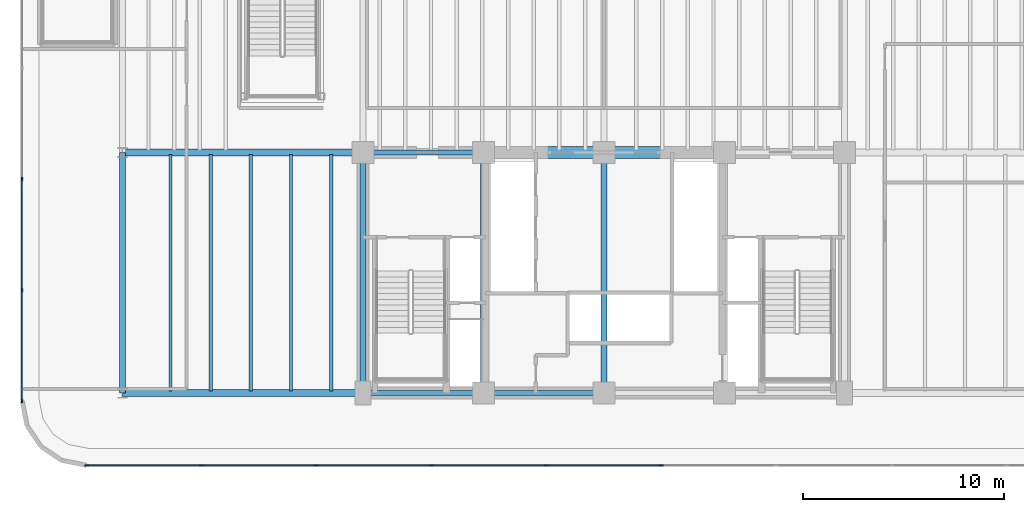
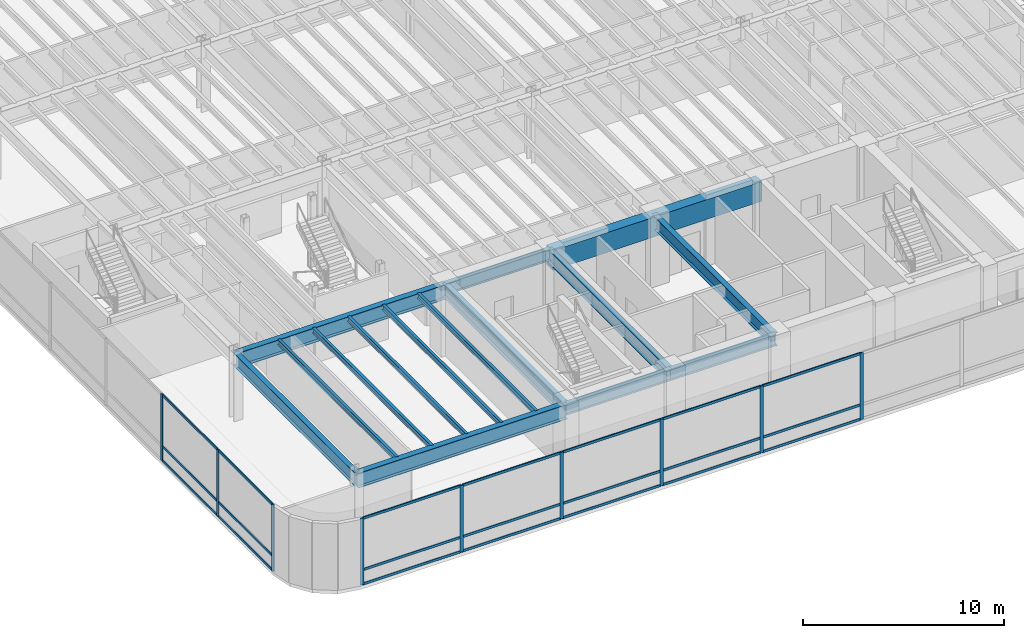
# One storey, part 3 of 18: 30 members, 15 beams, 2 elements without a shape of their own.
"""IFC4 building model written with IfcOpenShell, lengths in metres."""

import ifcopenshell
import ifcopenshell.guid

model = None  # the IFC model being written
_history = None  # IfcOwnerHistory: only IFC2X3 demands one
_inside = {}  # id of a spatial element -> (the spatial element, [elements in it])
_under = {}  # id of a project, library or spatial element -> (it, [spatial elements below it])
_declared = {}  # id of a project -> (the project, [libraries it declares])
_typed = {}  # id of a type object -> (the type object, [elements of that type])
_made_of = {}  # id of a material, layer set ... -> (it, [elements and type objects made of it])


def new_model(schema):
    """Start an empty IFC model of exactly this schema.

    Asked for "IFC4X3", IfcOpenShell would pick the latest addendum, in which some entities
    have other attributes; the version numbers below select the first issue.
    IFC2X3 requires an IfcOwnerHistory on every rooted entity: one is made here for all.
    """
    global model, _history
    if schema == "IFC4X3":
        model = ifcopenshell.file(schema_version=(4, 3, 0, 0))
    else:
        model = ifcopenshell.file(schema=schema)
    _inside.clear()
    _under.clear()
    _declared.clear()
    _typed.clear()
    _made_of.clear()
    _history = None
    if model.schema == "IFC2X3":
        org = make("IfcOrganization", Name="unknown")
        user = make(
            "IfcPersonAndOrganization",
            ThePerson=make("IfcPerson", FamilyName="unknown"),
            TheOrganization=org,
        )
        app = make(
            "IfcApplication",
            ApplicationDeveloper=org,
            Version="unknown",
            ApplicationFullName="unknown",
            ApplicationIdentifier="unknown",
        )
        _history = make(
            "IfcOwnerHistory",
            OwningUser=user,
            OwningApplication=app,
            ChangeAction="ADDED",
            CreationDate=0,
        )
    return model


def make(cls, **values):
    """One entity of the class cls with the attributes given. An attribute that is None is left unset."""
    return model.create_entity(
        cls, **{name: value for name, value in values.items() if value is not None}
    )


def rooted(cls, **values):
    """An entity with a GlobalId (a new one), such as an element, a storey or a relation."""
    return make(cls, GlobalId=ifcopenshell.guid.new(), OwnerHistory=_history, **values)


def si_unit(unit_type, name, prefix=None):
    """IfcSIUnit, for example si_unit("LENGTHUNIT", "METRE", prefix="MILLI")."""
    return make("IfcSIUnit", UnitType=unit_type, Prefix=prefix, Name=name)


def assignment(units):
    """IfcUnitAssignment: the units of a project."""
    return None if units is None else make("IfcUnitAssignment", Units=units)


def point(xyz):
    """IfcCartesianPoint."""
    return None if xyz is None else make("IfcCartesianPoint", Coordinates=xyz)


def direction(xyz):
    """IfcDirection."""
    return None if xyz is None else make("IfcDirection", DirectionRatios=xyz)


def frame(location, z_axis=None, x_axis=None):
    """IfcAxis2Placement3D, a coordinate frame: its origin and axes. An axis left out is left unset."""
    return make(
        "IfcAxis2Placement3D",
        Location=point(location),
        Axis=direction(z_axis),
        RefDirection=direction(x_axis),
    )


def frame_2d(location, x_axis=None):
    """IfcAxis2Placement2D, a coordinate frame in the plane: its origin and x axis."""
    return make(
        "IfcAxis2Placement2D", Location=point(location), RefDirection=direction(x_axis)
    )


def origin():
    """The frame at (0, 0, 0) with its axes left unset."""
    return frame((0.0, 0.0, 0.0))


def origin_2d():
    """The frame at (0, 0) in the plane with its x axis left unset."""
    return frame_2d((0.0, 0.0))


def place(relative_to, where):
    """IfcLocalPlacement: puts the frame where relative to a parent placement (None: the world)."""
    return make(
        "IfcLocalPlacement", PlacementRelTo=relative_to, RelativePlacement=where
    )


def context(
    kind, dimensions, precision=None, world=None, true_north=None, identifier=None
):
    """IfcGeometricRepresentationContext, for example the 3D "Model" context."""
    return make(
        "IfcGeometricRepresentationContext",
        ContextIdentifier=identifier,
        ContextType=kind,
        CoordinateSpaceDimension=dimensions,
        Precision=precision,
        WorldCoordinateSystem=world,
        TrueNorth=true_north,
    )


def subcontext(parent, identifier, kind, view, scale=None):
    """IfcGeometricRepresentationSubContext, for example "Body" below "Model"."""
    return make(
        "IfcGeometricRepresentationSubContext",
        ContextIdentifier=identifier,
        ContextType=kind,
        ParentContext=parent,
        TargetScale=scale,
        TargetView=view,
    )


def project(units=None, contexts=None):
    """IfcProject with its units and contexts."""
    return rooted(
        "IfcProject",
        Name="project",
        RepresentationContexts=contexts,
        UnitsInContext=assignment(units),
    )


def spatial(cls, under=None, at=None, **own):
    """A site, building, storey or space (cls), placed at a placement, below another one or the project."""
    s = rooted(cls, ObjectPlacement=at, **own)
    if under is not None:
        _under.setdefault(under.id(), (under, []))[1].append(s)
    return s


def profile(cls, at=None, kind="AREA", **sizes):
    """A parametric profile (cls). Its sizes go by their IFC names, for example OverallWidth=200.0."""
    return make(cls, ProfileType=kind, Position=at, **sizes)


def rectangle(**sizes):
    """IfcRectangleProfileDef."""
    return profile("IfcRectangleProfileDef", **sizes)


def i_section(**sizes):
    """IfcIShapeProfileDef."""
    return profile("IfcIShapeProfileDef", **sizes)


def extrude(swept, where, along, depth):
    """IfcExtrudedAreaSolid: the profile swept, set in the frame where, extruded along a direction by depth."""
    return make(
        "IfcExtrudedAreaSolid",
        SweptArea=swept,
        Position=where,
        ExtrudedDirection=direction(along),
        Depth=depth,
    )


def shape(context_of_items, identifier, shape_type, items):
    """IfcShapeRepresentation: the items that make up one representation, for example the "Body"."""
    return make(
        "IfcShapeRepresentation",
        ContextOfItems=context_of_items,
        RepresentationIdentifier=identifier,
        RepresentationType=shape_type,
        Items=items,
    )


def source(mapping_origin, context_of_items, identifier, shape_type, items):
    """IfcRepresentationMap: a shape defined once, which mapped items show again and again."""
    return make(
        "IfcRepresentationMap",
        MappingOrigin=mapping_origin,
        MappedRepresentation=shape(context_of_items, identifier, shape_type, items),
    )


def transform(
    local_origin,
    x_axis=None,
    y_axis=None,
    z_axis=None,
    scale=None,
    scale2=None,
    scale3=None,
    uniform=True,
):
    """IfcCartesianTransformationOperator3D, or its non-uniform kind. x_axis, y_axis, z_axis: its Axis1, 2, 3."""
    if uniform:
        return make(
            "IfcCartesianTransformationOperator3D",
            Axis1=direction(x_axis),
            Axis2=direction(y_axis),
            LocalOrigin=point(local_origin),
            Scale=scale,
            Axis3=direction(z_axis),
        )
    return make(
        "IfcCartesianTransformationOperator3DnonUniform",
        Axis1=direction(x_axis),
        Axis2=direction(y_axis),
        LocalOrigin=point(local_origin),
        Scale=scale,
        Axis3=direction(z_axis),
        Scale2=scale2,
        Scale3=scale3,
    )


def mapped(mapping_source, mapping_target):
    """IfcMappedItem: shows the shape of a source again, moved by a transform."""
    return make(
        "IfcMappedItem", MappingSource=mapping_source, MappingTarget=mapping_target
    )


def material(Name=None, Category=None):
    """IfcMaterial."""
    return make("IfcMaterial", Name=Name, Category=Category)


def layer(
    of_material, thickness, ventilated=None, Name=None, Category=None, Priority=None
):
    """IfcMaterialLayer: one layer of a wall or slab, of a material (None: an air gap)."""
    return make(
        "IfcMaterialLayer",
        Material=of_material,
        LayerThickness=thickness,
        IsVentilated=ventilated,
        Name=Name,
        Category=Category,
        Priority=Priority,
    )


def layer_set(layers, Name=None):
    """IfcMaterialLayerSet."""
    return make("IfcMaterialLayerSet", MaterialLayers=layers, LayerSetName=Name)


def material_profile(
    of_material, cross_section, Name=None, Category=None, Priority=None
):
    """IfcMaterialProfile: a cross section and its material."""
    return make(
        "IfcMaterialProfile",
        Name=Name,
        Material=of_material,
        Profile=cross_section,
        Priority=Priority,
        Category=Category,
    )


def profile_set(profiles, Name=None, composite=None):
    """IfcMaterialProfileSet."""
    return make(
        "IfcMaterialProfileSet",
        Name=Name,
        MaterialProfiles=profiles,
        CompositeProfile=composite,
    )


def made_of(thing, what):
    """Note that an element or type object is made of a material, layer set ...; save() writes the relation."""
    if what is not None:
        _made_of.setdefault(what.id(), (what, []))[1].append(thing)
    return thing


def type_object(cls, material=None, **own):
    """A type object (cls), such as IfcWallType, which elements share."""
    return made_of(rooted(cls, **own), material)


def element(
    cls,
    number,
    at=None,
    inside=None,
    cuts=None,
    type_object=None,
    material=None,
    context=None,
    identifier="Body",
    shape_type=None,
    held_by="IfcProductDefinitionShape",
    body=None,
    shapes=None,
    **own,
):
    """One element of the class cls, such as IfcWall. Its Tag is "e" and its number.

    at: its placement. inside: the storey or other place that contains it. cuts: it is an
    opening in that element (IfcRelVoidsElement). A single representation is given by context,
    identifier, shape_type and body (its items); several are given by shapes. held_by: the class
    of the entity that holds the representations. save() writes the other relations.
    """
    e = rooted(cls, Tag="e%d" % number, ObjectPlacement=at, **own)
    if body is not None:
        shapes = [shape(context, identifier, shape_type, body)]
    if shapes is not None:
        e.Representation = make(held_by, Representations=shapes)
    if inside is not None:
        _inside.setdefault(inside.id(), (inside, []))[1].append(e)
    if cuts is not None:
        rooted(
            "IfcRelVoidsElement", RelatingBuildingElement=cuts, RelatedOpeningElement=e
        )
    if type_object is not None:
        _typed.setdefault(type_object.id(), (type_object, []))[1].append(e)
    return made_of(e, material)


def aggregate(whole, parts):
    """IfcRelAggregates: a whole, such as a stair, and the parts it consists of."""
    return rooted("IfcRelAggregates", RelatingObject=whole, RelatedObjects=parts)


def save(model, path):
    """Write the relations noted so far, then the file.

    IfcRelAggregates (storeys below a building ...), IfcRelContainedInSpatialStructure (elements
    in a storey), IfcRelDefinesByType, IfcRelAssociatesMaterial and IfcRelDeclares: one each for
    every whole, place, type object, material and project.
    """
    for whole, parts in _under.values():
        aggregate(whole, parts)
    for where, things in _inside.values():
        rooted(
            "IfcRelContainedInSpatialStructure",
            RelatedElements=things,
            RelatingStructure=where,
        )
    for kind, things in _typed.values():
        rooted("IfcRelDefinesByType", RelatedObjects=things, RelatingType=kind)
    for what, things in _made_of.values():
        rooted("IfcRelAssociatesMaterial", RelatedObjects=things, RelatingMaterial=what)
    for by, libraries in _declared.values():
        rooted("IfcRelDeclares", RelatingContext=by, RelatedDefinitions=libraries)
    model.write(path)


model = new_model("IFC4")

# Units and contexts
model_context = context("Model", 3, precision=1e-05, world=origin(), true_north=direction((0.0, 1.0)))
body_context = subcontext(model_context, "Body", "Model", "MODEL_VIEW")
ifc_project = project(units=[si_unit("LENGTHUNIT", "METRE"), si_unit("AREAUNIT", "SQUARE_METRE"), si_unit("VOLUMEUNIT", "CUBIC_METRE"), si_unit("PLANEANGLEUNIT", "RADIAN"), si_unit("MASSUNIT", "GRAM", prefix="KILO")], contexts=[model_context])

# Site, building, storey
site_placement = place(None, origin())
site = spatial("IfcSite", under=ifc_project, at=site_placement, CompositionType="ELEMENT")
building_placement = place(site_placement, origin())
building = spatial("IfcBuilding", under=site, at=building_placement, Name="Brelvock Crest Care Tower", CompositionType="ELEMENT")
storey_placement = place(building_placement, frame((0.0, 0.0, 5.39990234375)))
storey = spatial("IfcBuildingStorey", under=building, at=storey_placement, Name="L01", CompositionType="ELEMENT", Elevation=5.39990234375)

# Beams
ifc_material_1 = material(Name="Concrete S80 (80 MPa)", Category="concrete")
ifc_material_profile_1 = material_profile(ifc_material_1, rectangle(XDim=0.60009765625, YDim=1.199951171875, at=origin_2d()), Name="RC600x1200")
ifc_profile_set_1 = profile_set([ifc_material_profile_1], Name="Concrete S80 (80 MPa)")
beam_type_1 = type_object("IfcBeamType", Name="BM-LN1", PredefinedType="LINTEL", material=ifc_profile_set_1)
shared_shape_1 = source(origin(), body_context, "Body", "SweptSolid", [
    extrude(rectangle(XDim=0.60009765625, YDim=1.199951171875, at=origin_2d()), origin(), (0.0, 0.0, 1.0), 12.0),
])
beam_placement = place(storey_placement, frame((30.0, 18.0, 3.440185546875), z_axis=(1.0, 0.0, 0.0), x_axis=(0.0, 1.0, 0.0)))
element("IfcBeam", 1, at=beam_placement, inside=storey, type_object=beam_type_1, Name="L01 Core Coupling Lintel Beam", PredefinedType="LINTEL", context=body_context, shape_type="MappedRepresentation", body=[
    mapped(shared_shape_1, transform((0.0, 0.0, 0.0), x_axis=(1.0, 0.0, 0.0), y_axis=(0.0, 1.0, 0.0), z_axis=(0.0, 0.0, 1.0), scale=1.0)),
])
ifc_material_2 = material(Name="Steel Grade 350", Category="steel")
ifc_material_profile_2 = material_profile(ifc_material_2, i_section(OverallWidth=0.25, OverallDepth=0.699951171875, WebThickness=0.011962890625, FlangeThickness=0.02001953125, at=origin_2d()), Name="700WB150")
ifc_profile_set_2 = profile_set([ifc_material_profile_2], Name="Steel Grade 350")
beam_type_2 = type_object("IfcBeamType", Name="BM-G4", PredefinedType="BEAM", material=ifc_profile_set_2)
shared_shape_2 = source(origin(), body_context, "Body", "SweptSolid", [
    extrude(i_section(OverallWidth=0.25, OverallDepth=0.699951171875, WebThickness=0.011962890625, FlangeThickness=0.02001953125, at=origin_2d()), origin(), (0.0, 0.0, 1.0), 6.0),
])
for number, where, z_axis, x_axis, name in (
    (2, (24.0, 6.0, 3.690185546875), (1.0, 0.0, 0.0), (0.0, 1.0, 0.0), "BM-CORES-L01-1"),
    (3, (24.0, 18.0, 3.690185546875), (1.0, 0.0, 0.0), (0.0, 1.0, 0.0), "BM-COREN-L01-1"),
    (4, (30.0, 6.0, 3.690185546875), (1.0, 0.0, 0.0), (0.0, 1.0, 0.0), "BM-CORES-L01-2"),
):
    element("IfcBeam", number, at=place(storey_placement, frame(where, z_axis=z_axis, x_axis=x_axis)), inside=storey, type_object=beam_type_2, Name=name, PredefinedType="BEAM", context=body_context, shape_type="MappedRepresentation", body=[
        mapped(shared_shape_2, transform((0.0, 0.0, 0.0), x_axis=(1.0, 0.0, 0.0), y_axis=(0.0, 1.0, 0.0), z_axis=(0.0, 0.0, 1.0), scale=1.0)),
    ])
ifc_material_profile_3 = material_profile(ifc_material_2, i_section(OverallWidth=0.300048828125, OverallDepth=0.800048828125, WebThickness=0.013916015625, FlangeThickness=0.02197265625, at=origin_2d()), Name="800WB192")
ifc_profile_set_3 = profile_set([ifc_material_profile_3], Name="Steel Grade 350")
beam_type_3 = type_object("IfcBeamType", Name="BM-G5", PredefinedType="BEAM", material=ifc_profile_set_3)
shared_shape_3 = source(origin(), body_context, "Body", "SweptSolid", [
    extrude(i_section(OverallWidth=0.300048828125, OverallDepth=0.800048828125, WebThickness=0.013916015625, FlangeThickness=0.02197265625, at=origin_2d()), origin(), (0.0, 0.0, 1.0), 12.0),
])
for number, where, z_axis, x_axis, name in (
    (5, (24.0, 6.0, 3.64013671875), (0.0, 1.0, 0.0), (-1.0, 0.0, 0.0), "BM-COREX-L01-1"),
    (6, (30.0, 6.0, 3.64013671875), (0.0, 1.0, 0.0), (-1.0, 0.0, 0.0), "BM-COREX-L01-2"),
    (7, (36.0, 6.0, 3.64013671875), (0.0, 1.0, 0.0), (-1.0, 0.0, 0.0), "BM-COREX-L01-3"),
    (8, (12.0, 6.0, 3.64013671875), (0.0, 1.0, 0.0), (-1.0, 0.0, 0.0), "BM-PODY-L01-12-6"),
):
    element("IfcBeam", number, at=place(storey_placement, frame(where, z_axis=z_axis, x_axis=x_axis)), inside=storey, type_object=beam_type_3, Name=name, PredefinedType="BEAM", context=body_context, shape_type="MappedRepresentation", body=[
        mapped(shared_shape_3, transform((0.0, 0.0, 0.0), x_axis=(1.0, 0.0, 0.0), y_axis=(0.0, 1.0, 0.0), z_axis=(0.0, 0.0, 1.0), scale=1.0)),
    ])
ifc_material_profile_4 = material_profile(ifc_material_2, i_section(OverallWidth=0.35009765625, OverallDepth=0.89990234375, WebThickness=0.01611328125, FlangeThickness=0.028076171875, at=origin_2d()), Name="900WB257")
ifc_profile_set_4 = profile_set([ifc_material_profile_4], Name="Steel Grade 350")
beam_type_4 = type_object("IfcBeamType", Name="BM-G6", PredefinedType="BEAM", material=ifc_profile_set_4)
shared_shape_4 = source(origin(), body_context, "Body", "SweptSolid", [
    extrude(i_section(OverallWidth=0.35009765625, OverallDepth=0.89990234375, WebThickness=0.01611328125, FlangeThickness=0.028076171875, at=origin_2d()), origin(), (0.0, 0.0, 1.0), 12.0),
])
for number, where, z_axis, x_axis, name in (
    (9, (12.0, 6.0, 3.590087890625), (1.0, 0.0, 0.0), (0.0, 1.0, 0.0), "BM-PODX-L01-6-12"),
    (10, (12.0, 18.0, 3.590087890625), (1.0, 0.0, 0.0), (0.0, 1.0, 0.0), "BM-PODX-L01-18-12"),
):
    element("IfcBeam", number, at=place(storey_placement, frame(where, z_axis=z_axis, x_axis=x_axis)), inside=storey, type_object=beam_type_4, Name=name, PredefinedType="BEAM", context=body_context, shape_type="MappedRepresentation", body=[
        mapped(shared_shape_4, transform((0.0, 0.0, 0.0), x_axis=(1.0, 0.0, 0.0), y_axis=(0.0, 1.0, 0.0), z_axis=(0.0, 0.0, 1.0), scale=1.0)),
    ])
ifc_material_profile_5 = material_profile(ifc_material_2, i_section(OverallWidth=0.166015625, OverallDepth=0.306884765625, WebThickness=0.006591796875, FlangeThickness=0.01171875, FilletRadius=0.011474609375, at=origin_2d()), Name="310UB46.2")
ifc_profile_set_5 = profile_set([ifc_material_profile_5], Name="Steel Grade 350")
beam_type_5 = type_object("IfcBeamType", Name="BM-J2", PredefinedType="JOIST", material=ifc_profile_set_5)
shared_shape_5 = source(origin(), body_context, "Body", "SweptSolid", [
    extrude(i_section(OverallWidth=0.166015625, OverallDepth=0.306884765625, WebThickness=0.006591796875, FlangeThickness=0.01171875, FilletRadius=0.011474609375, at=origin_2d()), origin(), (0.0, 0.0, 1.0), 11.77001953125),
])
for number, where, z_axis, x_axis, name in (
    (11, (14.39990234375, 6.114990234375, 3.88671875), (0.0, 1.0, 0.0), (-1.0, 0.0, 0.0), "BM-PODSJ-L01-144"),
    (12, (16.39990234375, 6.114990234375, 3.88671875), (0.0, 1.0, 0.0), (-1.0, 0.0, 0.0), "BM-PODSJ-L01-164"),
    (13, (18.39990234375, 6.114990234375, 3.88671875), (0.0, 1.0, 0.0), (-1.0, 0.0, 0.0), "BM-PODSJ-L01-184"),
    (14, (20.39990234375, 6.114990234375, 3.88671875), (0.0, 1.0, 0.0), (-1.0, 0.0, 0.0), "BM-PODSJ-L01-204"),
    (15, (22.39990234375, 6.114990234375, 3.88671875), (0.0, 1.0, 0.0), (-1.0, 0.0, 0.0), "BM-PODSJ-L01-224"),
):
    element("IfcBeam", number, at=place(storey_placement, frame(where, z_axis=z_axis, x_axis=x_axis)), inside=storey, type_object=beam_type_5, Name=name, PredefinedType="JOIST", context=body_context, shape_type="MappedRepresentation", body=[
        mapped(shared_shape_5, transform((0.0, 0.0, 0.0), x_axis=(1.0, 0.0, 0.0), y_axis=(0.0, 1.0, 0.0), z_axis=(0.0, 0.0, 1.0), scale=1.0)),
    ])

# Curtain wall, members
ifc_material_3 = material(Name="Dark Glass Double Glazed Low-E", Category="glass")
ifc_layer = layer(ifc_material_3, 0.179931640625, Name="CWS-1")
ifc_layer_set = layer_set([ifc_layer], Name="Dark Glass Double Glazed Low-E")
curtain_wall_type = type_object("IfcCurtainWallType", Name="CWS-1", PredefinedType="NOTDEFINED", material=ifc_layer_set)
curtain_wall_1_placement = place(storey_placement, origin())
curtain_wall_1 = element("IfcCurtainWall", 16, at=curtain_wall_1_placement, inside=storey, type_object=curtain_wall_type, Name="L01 Curtain Wall E04", PredefinedType="NOTDEFINED")
ifc_material_4 = material(Name="Aluminium 6063-T6", Category="aluminium")
ifc_material_profile_6 = material_profile(ifc_material_4, rectangle(XDim=0.06494140625, YDim=0.199951171875, at=origin_2d()), Name="ALU65x200")
ifc_profile_set_6 = profile_set([ifc_material_profile_6], Name="Aluminium 6063-T6")
member_type_1 = type_object("IfcMemberType", Name="CWM-1", PredefinedType="MULLION", material=ifc_profile_set_6)
shared_shape_6 = source(origin(), body_context, "Body", "SweptSolid", [
    extrude(rectangle(XDim=0.06494140625, YDim=0.199951171875, at=origin_2d()), origin(), (0.0, 0.0, 1.0), 4.0400390625),
])
member_1_placement = place(storey_placement, frame((7.0, 5.632568359375, 0.0), z_axis=(0.0, 0.0, 1.0), x_axis=(-1.0, 0.0, 0.0)))
member_1 = element("IfcMember", 17, at=member_1_placement, type_object=member_type_1, Name="CW-1 mullion 1", PredefinedType="MULLION", context=body_context, shape_type="MappedRepresentation", body=[
    mapped(shared_shape_6, transform((0.0, 0.0, 0.0), x_axis=(1.0, 0.0, 0.0), y_axis=(0.0, 1.0, 0.0), z_axis=(0.0, 0.0, 1.0), scale=1.0)),
])
member_2_placement = place(storey_placement, frame((7.0, 11.13330078125, 0.0), z_axis=(0.0, 0.0, 1.0), x_axis=(-1.0, 0.0, 0.0)))
member_2 = element("IfcMember", 18, at=member_2_placement, type_object=member_type_1, Name="CW-1 mullion 2", PredefinedType="MULLION", context=body_context, shape_type="MappedRepresentation", body=[
    mapped(shared_shape_6, transform((0.0, 0.0, 0.0), x_axis=(1.0, 0.0, 0.0), y_axis=(0.0, 1.0, 0.0), z_axis=(0.0, 0.0, 1.0), scale=1.0)),
])
member_3_placement = place(storey_placement, frame((7.0, 16.666748046875, 0.0), z_axis=(0.0, 0.0, 1.0), x_axis=(-1.0, 0.0, 0.0)))
member_3 = element("IfcMember", 19, at=member_3_placement, type_object=member_type_1, Name="CW-1 mullion 3", PredefinedType="MULLION", context=body_context, shape_type="MappedRepresentation", body=[
    mapped(shared_shape_6, transform((0.0, 0.0, 0.0), x_axis=(1.0, 0.0, 0.0), y_axis=(0.0, 1.0, 0.0), z_axis=(0.0, 0.0, 1.0), scale=1.0)),
])

curtain_wall_2_placement = place(storey_placement, origin())
curtain_wall_2 = element("IfcCurtainWall", 20, at=curtain_wall_2_placement, inside=storey, type_object=curtain_wall_type, Name="L01 Curtain Wall E19", PredefinedType="NOTDEFINED")
member_4_placement = place(storey_placement, frame((38.86669921875, 2.39990234375, 0.0), z_axis=(0.0, 0.0, 1.0), x_axis=(0.0, -1.0, 0.0)))
member_4 = element("IfcMember", 21, at=member_4_placement, type_object=member_type_1, Name="CW-1 mullion 5", PredefinedType="MULLION", context=body_context, shape_type="MappedRepresentation", body=[
    mapped(shared_shape_6, transform((0.0, 0.0, 0.0), x_axis=(1.0, 0.0, 0.0), y_axis=(0.0, 1.0, 0.0), z_axis=(0.0, 0.0, 1.0), scale=1.0)),
])
member_5_placement = place(storey_placement, frame((33.13330078125, 2.39990234375, 0.0), z_axis=(0.0, 0.0, 1.0), x_axis=(0.0, -1.0, 0.0)))
member_5 = element("IfcMember", 22, at=member_5_placement, type_object=member_type_1, Name="CW-1 mullion 6", PredefinedType="MULLION", context=body_context, shape_type="MappedRepresentation", body=[
    mapped(shared_shape_6, transform((0.0, 0.0, 0.0), x_axis=(1.0, 0.0, 0.0), y_axis=(0.0, 1.0, 0.0), z_axis=(0.0, 0.0, 1.0), scale=1.0)),
])
member_6_placement = place(storey_placement, frame((27.39990234375, 2.39990234375, 0.0), z_axis=(0.0, 0.0, 1.0), x_axis=(0.0, -1.0, 0.0)))
member_6 = element("IfcMember", 23, at=member_6_placement, type_object=member_type_1, Name="CW-1 mullion 7", PredefinedType="MULLION", context=body_context, shape_type="MappedRepresentation", body=[
    mapped(shared_shape_6, transform((0.0, 0.0, 0.0), x_axis=(1.0, 0.0, 0.0), y_axis=(0.0, 1.0, 0.0), z_axis=(0.0, 0.0, 1.0), scale=1.0)),
])
member_7_placement = place(storey_placement, frame((21.666748046875, 2.39990234375, 0.0), z_axis=(0.0, 0.0, 1.0), x_axis=(0.0, -1.0, 0.0)))
member_7 = element("IfcMember", 24, at=member_7_placement, type_object=member_type_1, Name="CW-1 mullion 8", PredefinedType="MULLION", context=body_context, shape_type="MappedRepresentation", body=[
    mapped(shared_shape_6, transform((0.0, 0.0, 0.0), x_axis=(1.0, 0.0, 0.0), y_axis=(0.0, 1.0, 0.0), z_axis=(0.0, 0.0, 1.0), scale=1.0)),
])
member_8_placement = place(storey_placement, frame((15.933349609375, 2.39990234375, 0.0), z_axis=(0.0, 0.0, 1.0), x_axis=(0.0, -1.0, 0.0)))
member_8 = element("IfcMember", 25, at=member_8_placement, type_object=member_type_1, Name="CW-1 mullion 9", PredefinedType="MULLION", context=body_context, shape_type="MappedRepresentation", body=[
    mapped(shared_shape_6, transform((0.0, 0.0, 0.0), x_axis=(1.0, 0.0, 0.0), y_axis=(0.0, 1.0, 0.0), z_axis=(0.0, 0.0, 1.0), scale=1.0)),
])
member_9_placement = place(storey_placement, frame((10.232421875, 2.39990234375, 0.0), z_axis=(0.0, 0.0, 1.0), x_axis=(0.0, -1.0, 0.0)))
member_9 = element("IfcMember", 26, at=member_9_placement, type_object=member_type_1, Name="CW-1 mullion 10", PredefinedType="MULLION", context=body_context, shape_type="MappedRepresentation", body=[
    mapped(shared_shape_6, transform((0.0, 0.0, 0.0), x_axis=(1.0, 0.0, 0.0), y_axis=(0.0, 1.0, 0.0), z_axis=(0.0, 0.0, 1.0), scale=1.0)),
])

# Member
ifc_material_profile_7 = material_profile(ifc_material_4, rectangle(XDim=0.06494140625, YDim=0.14990234375, at=origin_2d()), Name="ALU65x150")
ifc_profile_set_7 = profile_set([ifc_material_profile_7], Name="Aluminium 6063-T6")
member_type_2 = type_object("IfcMemberType", Name="CWT-1", PredefinedType="USERDEFINED", material=ifc_profile_set_7)
shared_shape_7 = source(origin(), body_context, "Body", "SweptSolid", [
    extrude(rectangle(XDim=0.06494140625, YDim=0.14990234375, at=origin_2d()), origin(), (0.0, 0.0, 1.0), 5.435791015625),
])
member_10_placement = place(storey_placement, frame((7.0, 5.6650390625, 0.03271484375), z_axis=(0.0, 1.0, 0.0), x_axis=(-1.0, 0.0, 0.0)))
member_10 = element("IfcMember", 27, at=member_10_placement, type_object=member_type_2, Name="CW-1 transom 1.1", ObjectType="TRANSOM", PredefinedType="USERDEFINED", context=body_context, shape_type="MappedRepresentation", body=[
    mapped(shared_shape_7, transform((0.0, 0.0, 0.0), x_axis=(1.0, 0.0, 0.0), y_axis=(0.0, 1.0, 0.0), z_axis=(0.0, 0.0, 1.0), scale=1.0)),
])

member_11_placement = place(storey_placement, frame((7.0, 5.6650390625, 0.900146484375), z_axis=(0.0, 1.0, 0.0), x_axis=(-1.0, 0.0, 0.0)))
member_11 = element("IfcMember", 28, at=member_11_placement, type_object=member_type_2, Name="CW-1 transom 1.2", ObjectType="TRANSOM", PredefinedType="USERDEFINED", context=body_context, shape_type="MappedRepresentation", body=[
    mapped(shared_shape_7, transform((0.0, 0.0, 0.0), x_axis=(1.0, 0.0, 0.0), y_axis=(0.0, 1.0, 0.0), z_axis=(0.0, 0.0, 1.0), scale=1.0)),
])

member_12_placement = place(storey_placement, frame((7.0, 5.6650390625, 4.007568359375), z_axis=(0.0, 1.0, 0.0), x_axis=(-1.0, 0.0, 0.0)))
member_12 = element("IfcMember", 29, at=member_12_placement, type_object=member_type_2, Name="CW-1 transom 1.3", ObjectType="TRANSOM", PredefinedType="USERDEFINED", context=body_context, shape_type="MappedRepresentation", body=[
    mapped(shared_shape_7, transform((0.0, 0.0, 0.0), x_axis=(1.0, 0.0, 0.0), y_axis=(0.0, 1.0, 0.0), z_axis=(0.0, 0.0, 1.0), scale=1.0)),
])

shared_shape_8 = source(origin(), body_context, "Body", "SweptSolid", [
    extrude(rectangle(XDim=0.06494140625, YDim=0.14990234375, at=origin_2d()), origin(), (0.0, 0.0, 1.0), 5.468505859375),
])
member_13_placement = place(storey_placement, frame((7.0, 11.165771484375, 0.03271484375), z_axis=(0.0, 1.0, 0.0), x_axis=(-1.0, 0.0, 0.0)))
member_13 = element("IfcMember", 30, at=member_13_placement, type_object=member_type_2, Name="CW-1 transom 2.1", ObjectType="TRANSOM", PredefinedType="USERDEFINED", context=body_context, shape_type="MappedRepresentation", body=[
    mapped(shared_shape_8, transform((0.0, 0.0, 0.0), x_axis=(1.0, 0.0, 0.0), y_axis=(0.0, 1.0, 0.0), z_axis=(0.0, 0.0, 1.0), scale=1.0)),
])

member_14_placement = place(storey_placement, frame((7.0, 11.165771484375, 0.900146484375), z_axis=(0.0, 1.0, 0.0), x_axis=(-1.0, 0.0, 0.0)))
member_14 = element("IfcMember", 31, at=member_14_placement, type_object=member_type_2, Name="CW-1 transom 2.2", ObjectType="TRANSOM", PredefinedType="USERDEFINED", context=body_context, shape_type="MappedRepresentation", body=[
    mapped(shared_shape_8, transform((0.0, 0.0, 0.0), x_axis=(1.0, 0.0, 0.0), y_axis=(0.0, 1.0, 0.0), z_axis=(0.0, 0.0, 1.0), scale=1.0)),
])

member_15_placement = place(storey_placement, frame((7.0, 11.165771484375, 4.007568359375), z_axis=(0.0, 1.0, 0.0), x_axis=(-1.0, 0.0, 0.0)))
member_15 = element("IfcMember", 32, at=member_15_placement, type_object=member_type_2, Name="CW-1 transom 2.3", ObjectType="TRANSOM", PredefinedType="USERDEFINED", context=body_context, shape_type="MappedRepresentation", body=[
    mapped(shared_shape_8, transform((0.0, 0.0, 0.0), x_axis=(1.0, 0.0, 0.0), y_axis=(0.0, 1.0, 0.0), z_axis=(0.0, 0.0, 1.0), scale=1.0)),
])

aggregate(curtain_wall_1, [member_1, member_2, member_3, member_10, member_11, member_12, member_13, member_14, member_15])

shared_shape_9 = source(origin(), body_context, "Body", "SweptSolid", [
    extrude(rectangle(XDim=0.06494140625, YDim=0.14990234375, at=origin_2d()), origin(), (0.0, 0.0, 1.0), 5.635986328125),
])
member_16_placement = place(storey_placement, frame((15.90087890625, 2.39990234375, 0.03271484375), z_axis=(-1.0, 0.0, 0.0), x_axis=(0.0, -1.0, 0.0)))
member_16 = element("IfcMember", 33, at=member_16_placement, type_object=member_type_2, Name="CW-1 transom 9.1", ObjectType="TRANSOM", PredefinedType="USERDEFINED", context=body_context, shape_type="MappedRepresentation", body=[
    mapped(shared_shape_9, transform((0.0, 0.0, 0.0), x_axis=(1.0, 0.0, 0.0), y_axis=(0.0, 1.0, 0.0), z_axis=(0.0, 0.0, 1.0), scale=1.0)),
])

member_17_placement = place(storey_placement, frame((15.90087890625, 2.39990234375, 0.900146484375), z_axis=(-1.0, 0.0, 0.0), x_axis=(0.0, -1.0, 0.0)))
member_17 = element("IfcMember", 34, at=member_17_placement, type_object=member_type_2, Name="CW-1 transom 9.2", ObjectType="TRANSOM", PredefinedType="USERDEFINED", context=body_context, shape_type="MappedRepresentation", body=[
    mapped(shared_shape_9, transform((0.0, 0.0, 0.0), x_axis=(1.0, 0.0, 0.0), y_axis=(0.0, 1.0, 0.0), z_axis=(0.0, 0.0, 1.0), scale=1.0)),
])

member_18_placement = place(storey_placement, frame((15.90087890625, 2.39990234375, 4.007568359375), z_axis=(-1.0, 0.0, 0.0), x_axis=(0.0, -1.0, 0.0)))
member_18 = element("IfcMember", 35, at=member_18_placement, type_object=member_type_2, Name="CW-1 transom 9.3", ObjectType="TRANSOM", PredefinedType="USERDEFINED", context=body_context, shape_type="MappedRepresentation", body=[
    mapped(shared_shape_9, transform((0.0, 0.0, 0.0), x_axis=(1.0, 0.0, 0.0), y_axis=(0.0, 1.0, 0.0), z_axis=(0.0, 0.0, 1.0), scale=1.0)),
])

shared_shape_10 = source(origin(), body_context, "Body", "SweptSolid", [
    extrude(rectangle(XDim=0.06494140625, YDim=0.14990234375, at=origin_2d()), origin(), (0.0, 0.0, 1.0), 5.66845703125),
])
member_19_placement = place(storey_placement, frame((38.834228515625, 2.39990234375, 0.03271484375), z_axis=(-1.0, 0.0, 0.0), x_axis=(0.0, -1.0, 0.0)))
member_19 = element("IfcMember", 36, at=member_19_placement, type_object=member_type_2, Name="CW-1 transom 5.1", ObjectType="TRANSOM", PredefinedType="USERDEFINED", context=body_context, shape_type="MappedRepresentation", body=[
    mapped(shared_shape_10, transform((0.0, 0.0, 0.0), x_axis=(1.0, 0.0, 0.0), y_axis=(0.0, 1.0, 0.0), z_axis=(0.0, 0.0, 1.0), scale=1.0)),
])

member_20_placement = place(storey_placement, frame((38.834228515625, 2.39990234375, 0.900146484375), z_axis=(-1.0, 0.0, 0.0), x_axis=(0.0, -1.0, 0.0)))
member_20 = element("IfcMember", 37, at=member_20_placement, type_object=member_type_2, Name="CW-1 transom 5.2", ObjectType="TRANSOM", PredefinedType="USERDEFINED", context=body_context, shape_type="MappedRepresentation", body=[
    mapped(shared_shape_10, transform((0.0, 0.0, 0.0), x_axis=(1.0, 0.0, 0.0), y_axis=(0.0, 1.0, 0.0), z_axis=(0.0, 0.0, 1.0), scale=1.0)),
])

member_21_placement = place(storey_placement, frame((38.834228515625, 2.39990234375, 4.007568359375), z_axis=(-1.0, 0.0, 0.0), x_axis=(0.0, -1.0, 0.0)))
member_21 = element("IfcMember", 38, at=member_21_placement, type_object=member_type_2, Name="CW-1 transom 5.3", ObjectType="TRANSOM", PredefinedType="USERDEFINED", context=body_context, shape_type="MappedRepresentation", body=[
    mapped(shared_shape_10, transform((0.0, 0.0, 0.0), x_axis=(1.0, 0.0, 0.0), y_axis=(0.0, 1.0, 0.0), z_axis=(0.0, 0.0, 1.0), scale=1.0)),
])

member_22_placement = place(storey_placement, frame((21.63427734375, 2.39990234375, 0.03271484375), z_axis=(-1.0, 0.0, 0.0), x_axis=(0.0, -1.0, 0.0)))
member_22 = element("IfcMember", 39, at=member_22_placement, type_object=member_type_2, Name="CW-1 transom 8.1", ObjectType="TRANSOM", PredefinedType="USERDEFINED", context=body_context, shape_type="MappedRepresentation", body=[
    mapped(shared_shape_10, transform((0.0, 0.0, 0.0), x_axis=(1.0, 0.0, 0.0), y_axis=(0.0, 1.0, 0.0), z_axis=(0.0, 0.0, 1.0), scale=1.0)),
])

member_23_placement = place(storey_placement, frame((21.63427734375, 2.39990234375, 0.900146484375), z_axis=(-1.0, 0.0, 0.0), x_axis=(0.0, -1.0, 0.0)))
member_23 = element("IfcMember", 40, at=member_23_placement, type_object=member_type_2, Name="CW-1 transom 8.2", ObjectType="TRANSOM", PredefinedType="USERDEFINED", context=body_context, shape_type="MappedRepresentation", body=[
    mapped(shared_shape_10, transform((0.0, 0.0, 0.0), x_axis=(1.0, 0.0, 0.0), y_axis=(0.0, 1.0, 0.0), z_axis=(0.0, 0.0, 1.0), scale=1.0)),
])

member_24_placement = place(storey_placement, frame((21.63427734375, 2.39990234375, 4.007568359375), z_axis=(-1.0, 0.0, 0.0), x_axis=(0.0, -1.0, 0.0)))
member_24 = element("IfcMember", 41, at=member_24_placement, type_object=member_type_2, Name="CW-1 transom 8.3", ObjectType="TRANSOM", PredefinedType="USERDEFINED", context=body_context, shape_type="MappedRepresentation", body=[
    mapped(shared_shape_10, transform((0.0, 0.0, 0.0), x_axis=(1.0, 0.0, 0.0), y_axis=(0.0, 1.0, 0.0), z_axis=(0.0, 0.0, 1.0), scale=1.0)),
])

shared_shape_11 = source(origin(), body_context, "Body", "SweptSolid", [
    extrude(rectangle(XDim=0.06494140625, YDim=0.14990234375, at=origin_2d()), origin(), (0.0, 0.0, 1.0), 5.668212890625),
])
member_25_placement = place(storey_placement, frame((33.100830078125, 2.39990234375, 0.03271484375), z_axis=(-1.0, 0.0, 0.0), x_axis=(0.0, -1.0, 0.0)))
member_25 = element("IfcMember", 42, at=member_25_placement, type_object=member_type_2, Name="CW-1 transom 6.1", ObjectType="TRANSOM", PredefinedType="USERDEFINED", context=body_context, shape_type="MappedRepresentation", body=[
    mapped(shared_shape_11, transform((0.0, 0.0, 0.0), x_axis=(1.0, 0.0, 0.0), y_axis=(0.0, 1.0, 0.0), z_axis=(0.0, 0.0, 1.0), scale=1.0)),
])

member_26_placement = place(storey_placement, frame((33.100830078125, 2.39990234375, 0.900146484375), z_axis=(-1.0, 0.0, 0.0), x_axis=(0.0, -1.0, 0.0)))
member_26 = element("IfcMember", 43, at=member_26_placement, type_object=member_type_2, Name="CW-1 transom 6.2", ObjectType="TRANSOM", PredefinedType="USERDEFINED", context=body_context, shape_type="MappedRepresentation", body=[
    mapped(shared_shape_11, transform((0.0, 0.0, 0.0), x_axis=(1.0, 0.0, 0.0), y_axis=(0.0, 1.0, 0.0), z_axis=(0.0, 0.0, 1.0), scale=1.0)),
])

member_27_placement = place(storey_placement, frame((33.100830078125, 2.39990234375, 4.007568359375), z_axis=(-1.0, 0.0, 0.0), x_axis=(0.0, -1.0, 0.0)))
member_27 = element("IfcMember", 44, at=member_27_placement, type_object=member_type_2, Name="CW-1 transom 6.3", ObjectType="TRANSOM", PredefinedType="USERDEFINED", context=body_context, shape_type="MappedRepresentation", body=[
    mapped(shared_shape_11, transform((0.0, 0.0, 0.0), x_axis=(1.0, 0.0, 0.0), y_axis=(0.0, 1.0, 0.0), z_axis=(0.0, 0.0, 1.0), scale=1.0)),
])

member_28_placement = place(storey_placement, frame((27.367431640625, 2.39990234375, 0.03271484375), z_axis=(-1.0, 0.0, 0.0), x_axis=(0.0, -1.0, 0.0)))
member_28 = element("IfcMember", 45, at=member_28_placement, type_object=member_type_2, Name="CW-1 transom 7.1", ObjectType="TRANSOM", PredefinedType="USERDEFINED", context=body_context, shape_type="MappedRepresentation", body=[
    mapped(shared_shape_11, transform((0.0, 0.0, 0.0), x_axis=(1.0, 0.0, 0.0), y_axis=(0.0, 1.0, 0.0), z_axis=(0.0, 0.0, 1.0), scale=1.0)),
])

member_29_placement = place(storey_placement, frame((27.367431640625, 2.39990234375, 0.900146484375), z_axis=(-1.0, 0.0, 0.0), x_axis=(0.0, -1.0, 0.0)))
member_29 = element("IfcMember", 46, at=member_29_placement, type_object=member_type_2, Name="CW-1 transom 7.2", ObjectType="TRANSOM", PredefinedType="USERDEFINED", context=body_context, shape_type="MappedRepresentation", body=[
    mapped(shared_shape_11, transform((0.0, 0.0, 0.0), x_axis=(1.0, 0.0, 0.0), y_axis=(0.0, 1.0, 0.0), z_axis=(0.0, 0.0, 1.0), scale=1.0)),
])

member_30_placement = place(storey_placement, frame((27.367431640625, 2.39990234375, 4.007568359375), z_axis=(-1.0, 0.0, 0.0), x_axis=(0.0, -1.0, 0.0)))
member_30 = element("IfcMember", 47, at=member_30_placement, type_object=member_type_2, Name="CW-1 transom 7.3", ObjectType="TRANSOM", PredefinedType="USERDEFINED", context=body_context, shape_type="MappedRepresentation", body=[
    mapped(shared_shape_11, transform((0.0, 0.0, 0.0), x_axis=(1.0, 0.0, 0.0), y_axis=(0.0, 1.0, 0.0), z_axis=(0.0, 0.0, 1.0), scale=1.0)),
])

aggregate(curtain_wall_2, [member_4, member_5, member_6, member_7, member_8, member_9, member_19, member_20, member_21, member_25, member_26, member_27, member_28, member_29, member_30, member_22, member_23, member_24, member_16, member_17, member_18])

save(model, "model.ifc")
